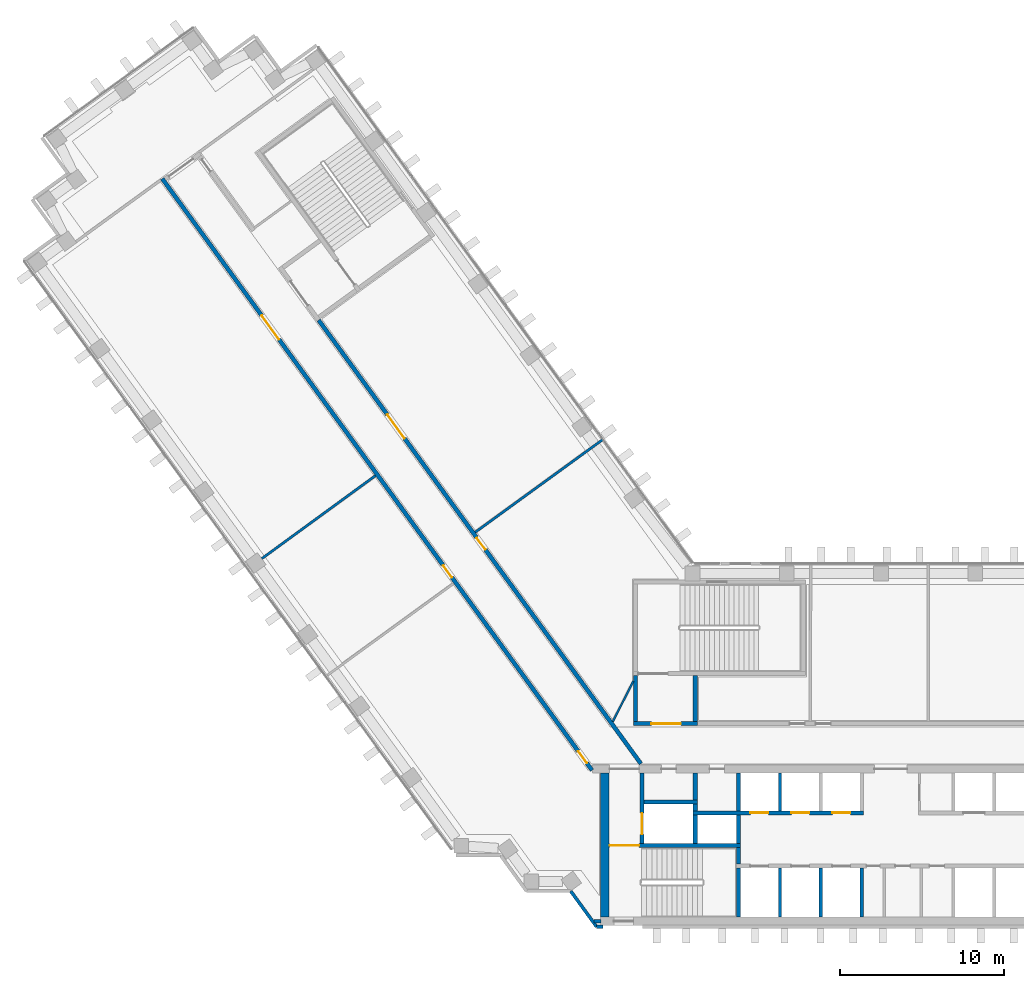
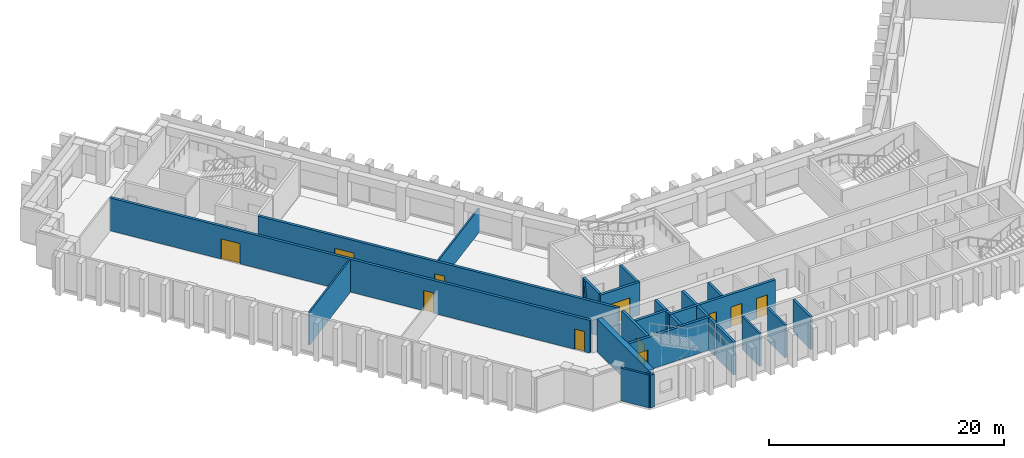
# One storey, part 4 of 12: 27 walls, 11 doors, 11 openings.
"""IFC4 building model written with IfcOpenShell, lengths in metres."""

from ifc_helpers import new_model, si_unit, direction, frame, frame_2d, origin, place, context, subcontext, project, spatial, rectangle, extrude, material, layer, layer_set, type_object, element, fill, save


model = new_model("IFC4")

# Units and contexts
model_context = context("Model", 3, precision=1e-05, world=origin(), true_north=direction((0.0, 1.0)))
body_context = subcontext(model_context, "Body", "Model", "MODEL_VIEW")
ifc_project = project(units=[si_unit("LENGTHUNIT", "METRE"), si_unit("AREAUNIT", "SQUARE_METRE"), si_unit("VOLUMEUNIT", "CUBIC_METRE"), si_unit("PLANEANGLEUNIT", "RADIAN"), si_unit("MASSUNIT", "GRAM", prefix="KILO")], contexts=[model_context])

# Site, building, storey
site_placement = place(None, origin())
site = spatial("IfcSite", under=ifc_project, at=site_placement, CompositionType="ELEMENT")
building_placement = place(site_placement, origin())
building = spatial("IfcBuilding", under=site, at=building_placement, Name="Quipu Civic Tower", CompositionType="ELEMENT")
storey_placement = place(building_placement, frame((0.0, 0.0, 75.0)))
storey = spatial("IfcBuildingStorey", under=building, at=storey_placement, Name="L17", CompositionType="ELEMENT", Elevation=75.0)

# Walls
ifc_material_1 = material(Name="Double gypsum plasterboard with mineral wool")
ifc_layer_1 = layer(ifc_material_1, 0.14990234375)
ifc_layer_set_1 = layer_set([ifc_layer_1], Name="Double gypsum plasterboard with mineral wool")
wall_type_1 = type_object("IfcWallType", Name="Acoustic partition 150 plasterboard", PredefinedType="PARTITIONING", material=ifc_layer_set_1)
wall_1_placement = place(storey_placement, frame((-19.856689453125, 18.688720703125, 0.0), z_axis=(0.0, 0.0, 1.0), x_axis=(-0.809002920164, -0.587804623294, 0.0)))
element("IfcWall", 1, at=wall_1_placement, inside=storey, type_object=wall_type_1, Name="Partition P08", PredefinedType="PARTITIONING", context=body_context, shape_type="SweptSolid", body=[
    extrude(rectangle(XDim=9.65087890625, YDim=0.14990234375, at=frame_2d((4.825439453125, 0.0))), origin(), (0.0, 0.0, 1.0), 2.5),
])
wall_2_placement = place(storey_placement, frame((-40.701904296875, 11.404541015625, 0.0), z_axis=(0.0, 0.0, 1.0), x_axis=(0.807600812808, 0.58972953729, 0.0)))
element("IfcWall", 2, at=wall_2_placement, inside=storey, type_object=wall_type_1, Name="Partition P12", PredefinedType="PARTITIONING", context=body_context, shape_type="SweptSolid", body=[
    extrude(rectangle(XDim=8.5947265625, YDim=0.14990234375, at=frame_2d((4.29736328125, 0.0))), origin(), (0.0, 0.0, 1.0), 3.39990234375),
])
ifc_material_2 = material(Name="Concrete C70/85", Category="concrete")
ifc_layer_2 = layer(ifc_material_2, 0.25)
ifc_layer_set_2 = layer_set([ifc_layer_2], Name="Concrete C70/85")
wall_type_2 = type_object("IfcWallType", Name="Core wall 250", PredefinedType="SHEAR", material=ifc_layer_set_2)
wall_3_placement = place(storey_placement, frame((-11.574951171875, -10.5, 0.0), z_axis=(0.0, 0.0, 1.0), x_axis=(0.0, 1.0, 0.0)))
element("IfcWall", 3, at=wall_3_placement, inside=storey, type_object=wall_type_2, Name="Core wall", PredefinedType="SHEAR", context=body_context, shape_type="SweptSolid", body=[
    extrude(rectangle(XDim=3.0, YDim=0.25, at=frame_2d((1.5, 0.0))), origin(), (0.0, 0.0, 1.0), 3.39990234375),
])
wall_4_placement = place(storey_placement, frame((-11.574951171875, -7.25, 0.0), z_axis=(0.0, 0.0, 1.0), x_axis=(0.0, 1.0, 0.0)))
element("IfcWall", 4, at=wall_4_placement, inside=storey, type_object=wall_type_2, Name="Core wall", PredefinedType="SHEAR", context=body_context, shape_type="SweptSolid", body=[
    extrude(rectangle(XDim=1.0, YDim=0.25, at=frame_2d((0.5, 0.0))), origin(), (0.0, 0.0, 1.0), 3.39990234375),
])

# Wall, opening, door
wall_5_placement = place(storey_placement, frame((-11.449951171875, -6.125, 0.0), z_axis=(0.0, 0.0, 1.0), x_axis=(-1.0, 0.0, 0.0)))
wall_5 = element("IfcWall", 5, at=wall_5_placement, inside=storey, type_object=wall_type_2, Name="Core wall", PredefinedType="SHEAR", context=body_context, shape_type="SweptSolid", body=[
    extrude(rectangle(XDim=8.050048828125, YDim=0.25, at=frame_2d((4.02490234375, 0.0))), origin(), (0.0, 0.0, 1.0), 3.39990234375),
])
opening_1_placement = place(wall_5_placement, frame((6.199951171875, 0.0, 0.0)))
opening_1 = element("IfcOpeningElement", 6, at=opening_1_placement, cuts=wall_5, Name="Opening CD-04", PredefinedType="OPENING", context=body_context, shape_type="SweptSolid", body=[
    extrude(rectangle(XDim=1.800048828125, YDim=2.10009765625, at=frame_2d((0.89990234375, 1.050048828125))), frame((0.0, 0.135009765625, 0.0), z_axis=(0.0, -1.0, 0.0), x_axis=(1.0, 0.0, 0.0)), (0.0, 0.0, 1.0), 0.27001953125),
])
ifc_material_3 = material(Name="Fire rated steel door", Category="steel")
door_type_1 = type_object("IfcDoorType", Name="Fire door FD90 double 1800 x 2100", OperationType="NOTDEFINED", PredefinedType="DOOR", material=ifc_material_3)
door_1_placement = place(opening_1_placement, origin())
door_1 = element("IfcDoor", 7, at=door_1_placement, inside=storey, type_object=door_type_1, Name="Door", OperationType="DOUBLE_DOOR_SINGLE_SWING", OverallHeight=2.10009765625, OverallWidth=1.800048828125, PredefinedType="DOOR", context=body_context, shape_type="SweptSolid", body=[
    extrude(rectangle(XDim=1.800048828125, YDim=2.10009765625, at=frame_2d((0.89990234375, 1.050048828125))), frame((0.0, 0.02490234375, 0.0), z_axis=(0.0, -1.0, 0.0), x_axis=(1.0, 0.0, 0.0)), (0.0, 0.0, 1.0), 0.050048828125),
])
fill(opening_1, door_1)

wall_6_placement = place(storey_placement, frame((-17.47509765625, -6.0, 0.0), z_axis=(0.0, 0.0, 1.0), x_axis=(0.0, 1.0, 0.0)))
wall_6 = element("IfcWall", 8, at=wall_6_placement, inside=storey, type_object=wall_type_2, Name="Core wall", PredefinedType="SHEAR", context=body_context, shape_type="SweptSolid", body=[
    extrude(rectangle(XDim=4.300048828125, YDim=0.25, at=frame_2d((2.14990234375, 0.0))), origin(), (0.0, 0.0, 1.0), 3.39990234375),
])
opening_2_placement = place(wall_6_placement, frame((0.550048828125, 0.0, 0.0)))
opening_2 = element("IfcOpeningElement", 9, at=opening_2_placement, cuts=wall_6, Name="Opening LD-FF1", PredefinedType="OPENING", context=body_context, shape_type="SweptSolid", body=[
    extrude(rectangle(XDim=1.300048828125, YDim=2.10009765625, at=frame_2d((0.64990234375, 1.050048828125))), frame((0.0, 0.135009765625, 0.0), z_axis=(0.0, -1.0, 0.0), x_axis=(1.0, 0.0, 0.0)), (0.0, 0.0, 1.0), 0.27001953125),
])
ifc_material_4 = material(Name="Stainless steel", Category="steel")
door_type_2 = type_object("IfcDoorType", Name="Lift landing door 1300 x 2100", OperationType="DOUBLE_DOOR_SLIDING", PredefinedType="DOOR", material=ifc_material_4)
door_2_placement = place(opening_2_placement, origin())
door_2 = element("IfcDoor", 10, at=door_2_placement, inside=storey, type_object=door_type_2, Name="Landing door FF1", OperationType="DOUBLE_DOOR_SLIDING", OverallHeight=2.10009765625, OverallWidth=1.300048828125, PredefinedType="DOOR", context=body_context, shape_type="SweptSolid", body=[
    extrude(rectangle(XDim=1.300048828125, YDim=2.10009765625, at=frame_2d((0.64990234375, 1.050048828125))), frame((0.0, 0.02490234375, 0.0), z_axis=(0.0, -1.0, 0.0), x_axis=(1.0, 0.0, 0.0)), (0.0, 0.0, 1.0), 0.050048828125),
])
fill(opening_2, door_2)

# Walls
for number, where, z_axis, x_axis, name in (
    (11, (-14.22509765625, -6.0, 0.0), (0.0, 0.0, 1.0), (0.0, 1.0, 0.0), "Core wall"),
    (12, (-11.574951171875, -6.0, 0.0), (0.0, 0.0, 1.0), (0.0, 1.0, 0.0), "Core wall"),
):
    element("IfcWall", number, at=place(storey_placement, frame(where, z_axis=z_axis, x_axis=x_axis)), inside=storey, type_object=wall_type_2, Name=name, PredefinedType="SHEAR", context=body_context, shape_type="SweptSolid", body=[
        extrude(rectangle(XDim=1.75, YDim=0.25, at=frame_2d((0.875, 0.0))), origin(), (0.0, 0.0, 1.0), 3.39990234375),
    ])

# Wall, openings, doors
wall_7_placement = place(storey_placement, frame((-14.35009765625, -4.125, 0.0), z_axis=(0.0, 0.0, 1.0), x_axis=(1.0, 0.0, 0.0)))
wall_7 = element("IfcWall", 13, at=wall_7_placement, inside=storey, type_object=wall_type_2, Name="Core wall", PredefinedType="SHEAR", context=body_context, shape_type="SweptSolid", body=[
    extrude(rectangle(XDim=10.400146484375, YDim=0.25, at=frame_2d((5.2001953125, 0.0))), origin(), (0.0, 0.0, 1.0), 3.39990234375),
])
opening_3_placement = place(wall_7_placement, frame((3.5, 0.0, 0.0)))
opening_3 = element("IfcOpeningElement", 14, at=opening_3_placement, cuts=wall_7, Name="Opening LD-LL4", PredefinedType="OPENING", context=body_context, shape_type="SweptSolid", body=[
    extrude(rectangle(XDim=1.10009765625, YDim=2.10009765625, at=frame_2d((0.550048828125, 1.050048828125))), frame((0.0, 0.135009765625, 0.0), z_axis=(0.0, -1.0, 0.0), x_axis=(1.0, 0.0, 0.0)), (0.0, 0.0, 1.0), 0.27001953125),
])
opening_4_placement = place(wall_7_placement, frame((6.0, 0.0, 0.0)))
opening_4 = element("IfcOpeningElement", 15, at=opening_4_placement, cuts=wall_7, Name="Opening LD-LL5", PredefinedType="OPENING", context=body_context, shape_type="SweptSolid", body=[
    extrude(rectangle(XDim=1.10009765625, YDim=2.10009765625, at=frame_2d((0.550048828125, 1.050048828125))), frame((0.0, 0.135009765625, 0.0), z_axis=(0.0, -1.0, 0.0), x_axis=(1.0, 0.0, 0.0)), (0.0, 0.0, 1.0), 0.27001953125),
])
opening_5_placement = place(wall_7_placement, frame((8.5, 0.0, 0.0)))
opening_5 = element("IfcOpeningElement", 16, at=opening_5_placement, cuts=wall_7, Name="Opening LD-LL6", PredefinedType="OPENING", context=body_context, shape_type="SweptSolid", body=[
    extrude(rectangle(XDim=1.10009765625, YDim=2.10009765625, at=frame_2d((0.550048828125, 1.050048828125))), frame((0.0, 0.135009765625, 0.0), z_axis=(0.0, -1.0, 0.0), x_axis=(1.0, 0.0, 0.0)), (0.0, 0.0, 1.0), 0.27001953125),
])
ifc_material_5 = material(Name="Stainless steel", Category="steel")
door_type_3 = type_object("IfcDoorType", Name="Lift landing door 1100 x 2100", OperationType="DOUBLE_DOOR_SLIDING", PredefinedType="DOOR", material=ifc_material_5)
door_3_placement = place(opening_3_placement, origin())
door_3 = element("IfcDoor", 17, at=door_3_placement, inside=storey, type_object=door_type_3, Name="Landing door LL4", OperationType="DOUBLE_DOOR_SLIDING", OverallHeight=2.10009765625, OverallWidth=1.10009765625, PredefinedType="DOOR", context=body_context, shape_type="SweptSolid", body=[
    extrude(rectangle(XDim=1.10009765625, YDim=2.10009765625, at=frame_2d((0.550048828125, 1.050048828125))), frame((0.0, 0.02490234375, 0.0), z_axis=(0.0, -1.0, 0.0), x_axis=(1.0, 0.0, 0.0)), (0.0, 0.0, 1.0), 0.050048828125),
])
fill(opening_3, door_3)
door_4_placement = place(opening_4_placement, origin())
door_4 = element("IfcDoor", 18, at=door_4_placement, inside=storey, type_object=door_type_3, Name="Landing door LL5", OperationType="DOUBLE_DOOR_SLIDING", OverallHeight=2.10009765625, OverallWidth=1.10009765625, PredefinedType="DOOR", context=body_context, shape_type="SweptSolid", body=[
    extrude(rectangle(XDim=1.10009765625, YDim=2.10009765625, at=frame_2d((0.550048828125, 1.050048828125))), frame((0.0, 0.02490234375, 0.0), z_axis=(0.0, -1.0, 0.0), x_axis=(1.0, 0.0, 0.0)), (0.0, 0.0, 1.0), 0.050048828125),
])
fill(opening_4, door_4)
door_5_placement = place(opening_5_placement, origin())
door_5 = element("IfcDoor", 19, at=door_5_placement, inside=storey, type_object=door_type_3, Name="Landing door LL6", OperationType="DOUBLE_DOOR_SLIDING", OverallHeight=2.10009765625, OverallWidth=1.10009765625, PredefinedType="DOOR", context=body_context, shape_type="SweptSolid", body=[
    extrude(rectangle(XDim=1.10009765625, YDim=2.10009765625, at=frame_2d((0.550048828125, 1.050048828125))), frame((0.0, 0.02490234375, 0.0), z_axis=(0.0, -1.0, 0.0), x_axis=(1.0, 0.0, 0.0)), (0.0, 0.0, 1.0), 0.050048828125),
])
fill(opening_5, door_5)

# Walls
wall_8_placement = place(storey_placement, frame((-14.22509765625, -4.0, 0.0), z_axis=(0.0, 0.0, 1.0), x_axis=(0.0, 1.0, 0.0)))
element("IfcWall", 20, at=wall_8_placement, inside=storey, type_object=wall_type_2, Name="Core wall", PredefinedType="SHEAR", context=body_context, shape_type="SweptSolid", body=[
    extrude(rectangle(XDim=0.39990234375, YDim=0.25, at=frame_2d((0.199951171875, 0.0))), origin(), (0.0, 0.0, 1.0), 3.39990234375),
])
wall_9_placement = place(storey_placement, frame((-11.574951171875, -4.0, 0.0), z_axis=(0.0, 0.0, 1.0), x_axis=(0.0, 1.0, 0.0)))
element("IfcWall", 21, at=wall_9_placement, inside=storey, type_object=wall_type_2, Name="Core wall", PredefinedType="SHEAR", context=body_context, shape_type="SweptSolid", body=[
    extrude(rectangle(XDim=2.300048828125, YDim=0.25, at=frame_2d((1.14990234375, 0.0))), origin(), (0.0, 0.0, 1.0), 3.39990234375),
])
wall_10_placement = place(storey_placement, frame((-17.35009765625, -3.47509765625, 0.0), z_axis=(0.0, 0.0, 1.0), x_axis=(1.0, 0.0, 0.0)))
element("IfcWall", 22, at=wall_10_placement, inside=storey, type_object=wall_type_2, Name="Core wall", PredefinedType="SHEAR", context=body_context, shape_type="SweptSolid", body=[
    extrude(rectangle(XDim=3.25, YDim=0.25, at=frame_2d((1.625, 0.0))), origin(), (0.0, 0.0, 1.0), 3.39990234375),
])
wall_11_placement = place(storey_placement, frame((-14.22509765625, -3.35009765625, 0.0), z_axis=(0.0, 0.0, 1.0), x_axis=(0.0, 1.0, 0.0)))
element("IfcWall", 23, at=wall_11_placement, inside=storey, type_object=wall_type_2, Name="Core wall", PredefinedType="SHEAR", context=body_context, shape_type="SweptSolid", body=[
    extrude(rectangle(XDim=1.650146484375, YDim=0.25, at=frame_2d((0.8251953125, 0.0))), origin(), (0.0, 0.0, 1.0), 3.39990234375),
])

# Wall, opening, door
wall_12_placement = place(storey_placement, frame((-18.0, 1.324951171875, 0.0), z_axis=(0.0, 0.0, 1.0), x_axis=(1.0, 0.0, 0.0)))
wall_12 = element("IfcWall", 24, at=wall_12_placement, inside=storey, type_object=wall_type_2, Name="Core wall", PredefinedType="SHEAR", context=body_context, shape_type="SweptSolid", body=[
    extrude(rectangle(XDim=3.89990234375, YDim=0.25, at=frame_2d((1.949951171875, 0.0))), origin(), (0.0, 0.0, 1.0), 3.39990234375),
])
opening_6_placement = place(wall_12_placement, frame((1.10009765625, 0.0, 0.0)))
opening_6 = element("IfcOpeningElement", 25, at=opening_6_placement, cuts=wall_12, Name="Opening CD-15", PredefinedType="OPENING", context=body_context, shape_type="SweptSolid", body=[
    extrude(rectangle(XDim=1.800048828125, YDim=2.10009765625, at=frame_2d((0.89990234375, 1.050048828125))), frame((0.0, 0.135009765625, 0.0), z_axis=(0.0, -1.0, 0.0), x_axis=(1.0, 0.0, 0.0)), (0.0, 0.0, 1.0), 0.27001953125),
])
door_6_placement = place(opening_6_placement, origin())
door_6 = element("IfcDoor", 26, at=door_6_placement, inside=storey, type_object=door_type_1, Name="Lobby door", OperationType="DOUBLE_DOOR_SINGLE_SWING", OverallHeight=2.10009765625, OverallWidth=1.800048828125, PredefinedType="DOOR", context=body_context, shape_type="SweptSolid", body=[
    extrude(rectangle(XDim=1.800048828125, YDim=2.10009765625, at=frame_2d((0.89990234375, 1.050048828125))), frame((0.0, 0.02490234375, 0.0), z_axis=(0.0, -1.0, 0.0), x_axis=(1.0, 0.0, 0.0)), (0.0, 0.0, 1.0), 0.050048828125),
])
fill(opening_6, door_6)

# Walls
for number, where, z_axis, x_axis, name in (
    (27, (-17.875, 1.449951171875, 0.0), (0.0, 0.0, 1.0), (0.0, 1.0, 0.0), "Core wall"),
    (28, (-14.22509765625, 1.449951171875, 0.0), (0.0, 0.0, 1.0), (0.0, 1.0, 0.0), "Core wall"),
):
    element("IfcWall", number, at=place(storey_placement, frame(where, z_axis=z_axis, x_axis=x_axis)), inside=storey, type_object=wall_type_2, Name=name, PredefinedType="SHEAR", context=body_context, shape_type="SweptSolid", body=[
        extrude(rectangle(XDim=2.800048828125, YDim=0.25, at=frame_2d((1.39990234375, 0.0))), origin(), (0.0, 0.0, 1.0), 3.39990234375),
    ])
ifc_material_6 = material(Name="Concrete C70/85", Category="concrete")
ifc_layer_3 = layer(ifc_material_6, 0.5)
ifc_layer_set_3 = layer_set([ifc_layer_3], Name="Concrete C70/85")
wall_type_3 = type_object("IfcWallType", Name="Core wall 500", PredefinedType="SHEAR", material=ifc_layer_set_3)
wall_13_placement = place(storey_placement, frame((-19.75, -10.5, 0.0), z_axis=(0.0, 0.0, 1.0), x_axis=(0.0, 1.0, 0.0)))
element("IfcWall", 29, at=wall_13_placement, inside=storey, type_object=wall_type_3, Name="Core wall", PredefinedType="SHEAR", context=body_context, shape_type="SweptSolid", body=[
    extrude(rectangle(XDim=8.800048828125, YDim=0.5, at=frame_2d((4.39990234375, 0.0))), origin(), (0.0, 0.0, 1.0), 3.39990234375),
])

# Wall, openings, doors
ifc_material_7 = material(Name="Concrete C50/60", Category="concrete")
ifc_layer_4 = layer(ifc_material_7, 0.25)
ifc_layer_set_4 = layer_set([ifc_layer_4], Name="Concrete C50/60")
wall_type_4 = type_object("IfcWallType", Name="Corridor wall 250 concrete", PredefinedType="SOLIDWALL", material=ifc_layer_set_4)
wall_14_placement = place(storey_placement, frame((-20.531005859375, -1.5234375, 0.0), z_axis=(0.0, 0.0, 1.0), x_axis=(-0.587784593204, 0.809017473231, 0.0)))
wall_14 = element("IfcWall", 30, at=wall_14_placement, inside=storey, type_object=wall_type_4, Name="Corridor wall C01", PredefinedType="SOLIDWALL", context=body_context, shape_type="SweptSolid", body=[
    extrude(rectangle(XDim=44.67041015625, YDim=0.25, at=frame_2d((22.335205078125, 0.0))), origin(), (0.0, 0.0, 1.0), 3.39990234375),
])
opening_7_placement = place(wall_14_placement, frame((0.53271484375, 0.0, 0.0)))
opening_7 = element("IfcOpeningElement", 31, at=opening_7_placement, cuts=wall_14, Name="Opening D020", PredefinedType="OPENING", context=body_context, shape_type="SweptSolid", body=[
    extrude(rectangle(XDim=0.89990234375, YDim=2.10009765625, at=frame_2d((0.449951171875, 1.050048828125))), frame((0.0, 0.135009765625, 0.0), z_axis=(0.0, -1.0, 0.0), x_axis=(1.0, 0.0, 0.0)), (0.0, 0.0, 1.0), 0.27001953125),
])
opening_8_placement = place(wall_14_placement, frame((32.530517578125, 0.0, 0.0)))
opening_8 = element("IfcOpeningElement", 32, at=opening_8_placement, cuts=wall_14, Name="Opening D018", PredefinedType="OPENING", context=body_context, shape_type="SweptSolid", body=[
    extrude(rectangle(XDim=1.800048828125, YDim=2.10009765625, at=frame_2d((0.89990234375, 1.050048828125))), frame((0.0, 0.135009765625, 0.0), z_axis=(0.0, -1.0, 0.0), x_axis=(1.0, 0.0, 0.0)), (0.0, 0.0, 1.0), 0.27001953125),
])
opening_9_placement = place(wall_14_placement, frame((14.565673828125, 0.0, 0.0)))
opening_9 = element("IfcOpeningElement", 33, at=opening_9_placement, cuts=wall_14, Name="Opening D019", PredefinedType="OPENING", context=body_context, shape_type="SweptSolid", body=[
    extrude(rectangle(XDim=0.89990234375, YDim=2.10009765625, at=frame_2d((0.449951171875, 1.050048828125))), frame((0.0, 0.135009765625, 0.0), z_axis=(0.0, -1.0, 0.0), x_axis=(1.0, 0.0, 0.0)), (0.0, 0.0, 1.0), 0.27001953125),
])
ifc_material_8 = material(Name="Fire rated timber door set with metal frame", Category="wood")
door_type_4 = type_object("IfcDoorType", Name="Double door 1800 x 2100 FD60", OperationType="DOUBLE_DOOR_SINGLE_SWING", PredefinedType="DOOR", material=ifc_material_8)
door_7_placement = place(opening_8_placement, origin())
door_7 = element("IfcDoor", 34, at=door_7_placement, inside=storey, type_object=door_type_4, Name="Door D018", OperationType="DOUBLE_DOOR_SINGLE_SWING", OverallHeight=2.10009765625, OverallWidth=1.800048828125, PredefinedType="DOOR", context=body_context, shape_type="SweptSolid", body=[
    extrude(rectangle(XDim=1.800048828125, YDim=2.10009765625, at=frame_2d((0.89990234375, 1.050048828125))), frame((0.0, 0.02490234375, 0.0), z_axis=(0.0, -1.0, 0.0), x_axis=(1.0, 0.0, 0.0)), (0.0, 0.0, 1.0), 0.050048828125),
])
fill(opening_8, door_7)
ifc_material_9 = material(Name="Fire rated timber door set with metal frame", Category="wood")
door_type_5 = type_object("IfcDoorType", Name="Single door 900 x 2100 FD60", OperationType="NOTDEFINED", PredefinedType="DOOR", material=ifc_material_9)
door_8_placement = place(opening_7_placement, origin())
door_8 = element("IfcDoor", 35, at=door_8_placement, inside=storey, type_object=door_type_5, Name="Door D020", OperationType="SINGLE_SWING_LEFT", OverallHeight=2.10009765625, OverallWidth=0.89990234375, PredefinedType="DOOR", context=body_context, shape_type="SweptSolid", body=[
    extrude(rectangle(XDim=0.89990234375, YDim=2.10009765625, at=frame_2d((0.449951171875, 1.050048828125))), frame((0.0, 0.02490234375, 0.0), z_axis=(0.0, -1.0, 0.0), x_axis=(1.0, 0.0, 0.0)), (0.0, 0.0, 1.0), 0.050048828125),
])
fill(opening_7, door_8)
door_9_placement = place(opening_9_placement, origin())
door_9 = element("IfcDoor", 36, at=door_9_placement, inside=storey, type_object=door_type_5, Name="Door D019", OperationType="SINGLE_SWING_LEFT", OverallHeight=2.10009765625, OverallWidth=0.89990234375, PredefinedType="DOOR", context=body_context, shape_type="SweptSolid", body=[
    extrude(rectangle(XDim=0.89990234375, YDim=2.10009765625, at=frame_2d((0.449951171875, 1.050048828125))), frame((0.0, 0.02490234375, 0.0), z_axis=(0.0, -1.0, 0.0), x_axis=(1.0, 0.0, 0.0)), (0.0, 0.0, 1.0), 0.050048828125),
])
fill(opening_9, door_9)

wall_15_placement = place(storey_placement, frame((-37.231689453125, 25.9716796875, 0.0), z_axis=(0.0, 0.0, 1.0), x_axis=(0.587786323093, -0.809016216391, 0.0)))
wall_15 = element("IfcWall", 37, at=wall_15_placement, inside=storey, type_object=wall_type_4, Name="Corridor wall C04", PredefinedType="SOLIDWALL", context=body_context, shape_type="SweptSolid", body=[
    extrude(rectangle(XDim=33.4931640625, YDim=0.25, at=frame_2d((16.74658203125, 0.0))), origin(), (0.0, 0.0, 1.0), 3.39990234375),
])
opening_10_placement = place(wall_15_placement, frame((16.434814453125, 0.0, 0.0)))
opening_10 = element("IfcOpeningElement", 38, at=opening_10_placement, cuts=wall_15, Name="Opening D017", PredefinedType="OPENING", context=body_context, shape_type="SweptSolid", body=[
    extrude(rectangle(XDim=0.89990234375, YDim=2.10009765625, at=frame_2d((0.449951171875, 1.050048828125))), frame((0.0, 0.135009765625, 0.0), z_axis=(0.0, -1.0, 0.0), x_axis=(1.0, 0.0, 0.0)), (0.0, 0.0, 1.0), 0.27001953125),
])
opening_11_placement = place(wall_15_placement, frame((7.13720703125, 0.0, 0.0)))
opening_11 = element("IfcOpeningElement", 39, at=opening_11_placement, cuts=wall_15, Name="Opening D016", PredefinedType="OPENING", context=body_context, shape_type="SweptSolid", body=[
    extrude(rectangle(XDim=1.800048828125, YDim=2.10009765625, at=frame_2d((0.89990234375, 1.050048828125))), frame((0.0, 0.135009765625, 0.0), z_axis=(0.0, -1.0, 0.0), x_axis=(1.0, 0.0, 0.0)), (0.0, 0.0, 1.0), 0.27001953125),
])
door_10_placement = place(opening_11_placement, origin())
door_10 = element("IfcDoor", 40, at=door_10_placement, inside=storey, type_object=door_type_4, Name="Door D016", OperationType="DOUBLE_DOOR_SINGLE_SWING", OverallHeight=2.10009765625, OverallWidth=1.800048828125, PredefinedType="DOOR", context=body_context, shape_type="SweptSolid", body=[
    extrude(rectangle(XDim=1.800048828125, YDim=2.10009765625, at=frame_2d((0.89990234375, 1.050048828125))), frame((0.0, 0.02490234375, 0.0), z_axis=(0.0, -1.0, 0.0), x_axis=(1.0, 0.0, 0.0)), (0.0, 0.0, 1.0), 0.050048828125),
])
fill(opening_11, door_10)
door_11_placement = place(opening_10_placement, origin())
door_11 = element("IfcDoor", 41, at=door_11_placement, inside=storey, type_object=door_type_5, Name="Door D017", OperationType="SINGLE_SWING_LEFT", OverallHeight=2.10009765625, OverallWidth=0.89990234375, PredefinedType="DOOR", context=body_context, shape_type="SweptSolid", body=[
    extrude(rectangle(XDim=0.89990234375, YDim=2.10009765625, at=frame_2d((0.449951171875, 1.050048828125))), frame((0.0, 0.02490234375, 0.0), z_axis=(0.0, -1.0, 0.0), x_axis=(1.0, 0.0, 0.0)), (0.0, 0.0, 1.0), 0.050048828125),
])
fill(opening_10, door_11)

# Walls
ifc_material_10 = material(Name="Gypsum plasterboard on light gauge framing")
ifc_layer_5 = layer(ifc_material_10, 0.1201171875)
ifc_layer_set_5 = layer_set([ifc_layer_5], Name="Gypsum plasterboard on light gauge framing")
wall_type_5 = type_object("IfcWallType", Name="Partition 120 plasterboard", PredefinedType="PARTITIONING", material=ifc_layer_set_5)
wall_16_placement = place(storey_placement, frame((-19.260986328125, 1.449951171875, 0.0), z_axis=(0.0, 0.0, 1.0), x_axis=(0.453950796792, 0.891026752736, 0.0)))
element("IfcWall", 42, at=wall_16_placement, inside=storey, type_object=wall_type_5, Name="Partition P17", PredefinedType="PARTITIONING", context=body_context, shape_type="SweptSolid", body=[
    extrude(rectangle(XDim=2.77783203125, YDim=0.1201171875, at=frame_2d((1.388916015625, 0.0))), origin(), (0.0, 0.0, 1.0), 3.39990234375),
])
ifc_material_11 = material(Name="Precast concrete C40/50", Category="concrete")
wall_type_6 = type_object("IfcWallType", Name="Precast cladding wall", PredefinedType="SOLIDWALL", material=ifc_material_11)
wall_17_placement = place(storey_placement, frame((-21.8330078125, -8.90869140625, 0.0), z_axis=(0.0, 0.0, 1.0), x_axis=(0.587766567315, -0.809030569476, 0.0)))
element("IfcWall", 43, at=wall_17_placement, inside=storey, type_object=wall_type_6, Name="Precast cladding wall L17 P12", PredefinedType="SOLIDWALL", context=body_context, shape_type="SweptSolid", body=[
    extrude(rectangle(XDim=2.687744140625, YDim=0.199951171875, at=frame_2d((1.34375, 0.0))), origin(), (0.0, 0.0, 1.0), 3.39990234375),
])
wall_18_placement = place(storey_placement, frame((-20.255859375, -11.087890625, 0.0), z_axis=(0.0, 0.0, 1.0), x_axis=(1.0, 0.0, 0.0)))
element("IfcWall", 44, at=wall_18_placement, inside=storey, type_object=wall_type_6, Name="Precast cladding wall L17 P13", PredefinedType="SOLIDWALL", context=body_context, shape_type="SweptSolid", body=[
    extrude(rectangle(XDim=0.40576171875, YDim=0.199951171875, at=frame_2d((0.202880859375, 0.0))), origin(), (0.0, 0.0, 1.0), 3.39990234375),
])
wall_19_placement = place(storey_placement, frame((-19.97998046875, -10.75, 0.0), z_axis=(0.0, 0.0, 1.0), x_axis=(-1.0, 0.0, 0.0)))
element("IfcWall", 45, at=wall_19_placement, inside=storey, type_object=wall_type_6, Name="Precast cladding return L17 W", PredefinedType="SOLIDWALL", context=body_context, shape_type="SweptSolid", body=[
    extrude(rectangle(XDim=0.41650390625, YDim=0.199951171875, at=frame_2d((0.208251953125, 0.0))), origin(), (0.0, 0.0, 1.0), 3.39990234375),
])
ifc_material_12 = material(Name="Concrete C40/50", Category="concrete")
ifc_layer_6 = layer(ifc_material_12, 0.199951171875)
ifc_layer_set_6 = layer_set([ifc_layer_6], Name="Concrete C40/50")
wall_type_7 = type_object("IfcWallType", Name="Shaft wall 200", PredefinedType="SOLIDWALL", material=ifc_layer_set_6)
for number, where, z_axis, x_axis, name in (
    (46, (-9.050048828125, -10.5, 0.0), (0.0, 0.0, 1.0), (0.0, 1.0, 0.0), "Shaft wall"),
    (47, (-6.550048828125, -10.5, 0.0), (0.0, 0.0, 1.0), (0.0, 1.0, 0.0), "Shaft wall"),
    (48, (-4.050048828125, -10.5, 0.0), (0.0, 0.0, 1.0), (0.0, 1.0, 0.0), "Shaft wall"),
):
    element("IfcWall", number, at=place(storey_placement, frame(where, z_axis=z_axis, x_axis=x_axis)), inside=storey, type_object=wall_type_7, Name=name, PredefinedType="SOLIDWALL", context=body_context, shape_type="SweptSolid", body=[
        extrude(rectangle(XDim=3.0, YDim=0.199951171875, at=frame_2d((1.5, 0.0))), origin(), (0.0, 0.0, 1.0), 3.39990234375),
    ])
wall_20_placement = place(storey_placement, frame((-9.050048828125, -4.0, 0.0), z_axis=(0.0, 0.0, 1.0), x_axis=(0.0, 1.0, 0.0)))
element("IfcWall", 49, at=wall_20_placement, inside=storey, type_object=wall_type_7, Name="Shaft wall", PredefinedType="SOLIDWALL", context=body_context, shape_type="SweptSolid", body=[
    extrude(rectangle(XDim=2.300048828125, YDim=0.199951171875, at=frame_2d((1.14990234375, 0.0))), origin(), (0.0, 0.0, 1.0), 3.39990234375),
])

save(model, "model.ifc")
